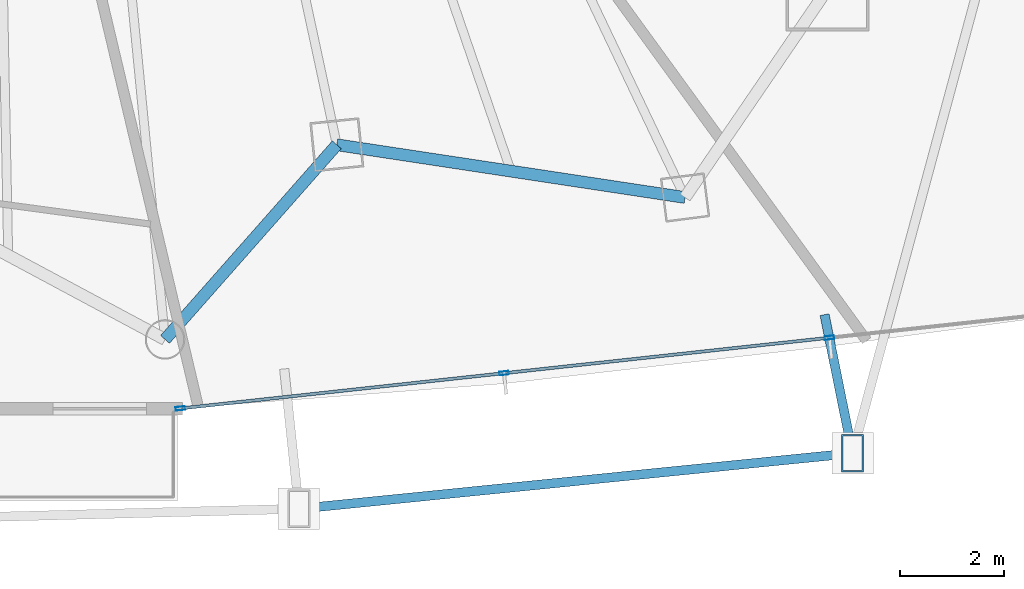
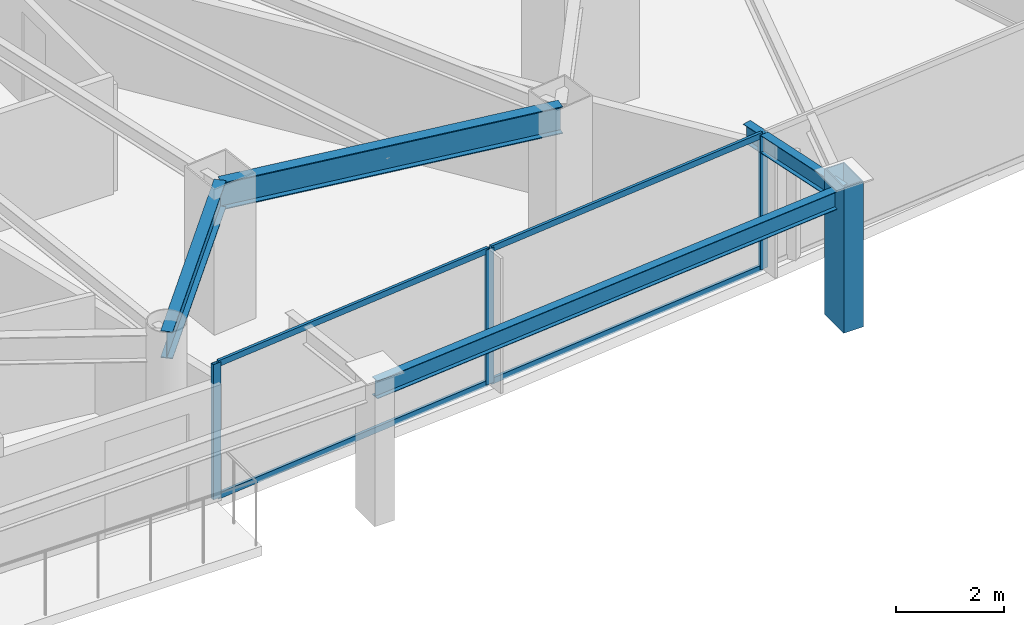
# One storey, part 13 of 33: 8 members, 4 beams, 1 element without a shape of its own.
"""IFC4 building model written with IfcOpenShell, lengths in metres."""

from ifc_helpers import new_model, si_unit, direction, frame, origin, origin_2d, place, context, subcontext, project, spatial, hollow_rectangle, i_section, extrude, material, layer, layer_set, material_profile, profile_set, type_object, element, aggregate, save


model = new_model("IFC4")

# Units and contexts
model_context = context("Model", 3, precision=1e-05, world=origin(), true_north=direction((0.0, 1.0)))
body_context = subcontext(model_context, "Body", "Model", "MODEL_VIEW")
ifc_project = project(units=[si_unit("LENGTHUNIT", "METRE"), si_unit("AREAUNIT", "SQUARE_METRE"), si_unit("VOLUMEUNIT", "CUBIC_METRE"), si_unit("PLANEANGLEUNIT", "RADIAN"), si_unit("MASSUNIT", "GRAM", prefix="KILO")], contexts=[model_context])

# Site, building, storey
site_placement = place(None, origin())
site = spatial("IfcSite", under=ifc_project, at=site_placement, CompositionType="ELEMENT")
building_placement = place(site_placement, origin())
building = spatial("IfcBuilding", under=site, at=building_placement, Name="Orvanel Arch Residences", CompositionType="ELEMENT")
storey_placement = place(building_placement, frame((0.0, 0.0, 87.35009765625)))
storey = spatial("IfcBuildingStorey", under=building, at=storey_placement, Name="L24", CompositionType="ELEMENT", Elevation=87.35009765625)

# Member
ifc_material_1 = material(Name="Structural steel AS/NZS 3678 Grade 350", Category="steel")
ifc_material_profile_1 = material_profile(ifc_material_1, hollow_rectangle(XDim=0.419921875, YDim=0.719970703125, WallThickness=0.02490234375, at=origin_2d()), Name="RHS720x420x25")
ifc_profile_set_1 = profile_set([ifc_material_profile_1], Name="Structural steel AS/NZS 3678 Grade 350")
member_type_1 = type_object("IfcMemberType", Name="CH-720RHS-EXT", PredefinedType="CHORD", material=ifc_profile_set_1)
member_1_placement = place(storey_placement, frame((52.284912109375, 1.4130859375, 0.0), z_axis=(0.0, 0.0, 1.0), x_axis=(1.0, 0.0, 0.0)))
element("IfcMember", 1, at=member_1_placement, inside=storey, type_object=member_type_1, Name="L24 Outer Perimeter Frame Post 08", PredefinedType="CHORD", context=body_context, shape_type="SweptSolid", body=[
    extrude(hollow_rectangle(XDim=0.419921875, YDim=0.719970703125, WallThickness=0.02490234375, at=origin_2d()), origin(), (0.0, 0.0, 1.0), 3.2998046875),
])

# Curtain wall, members
ifc_material_2 = material(Name="Bronze-anodised aluminium AA6063-T6", Category="aluminium")
ifc_layer = layer(ifc_material_2, 0.179931640625)
ifc_layer_set = layer_set([ifc_layer], Name="Bronze-anodised aluminium AA6063-T6")
curtain_wall_type = type_object("IfcCurtainWallType", Name="CW2-LOW-SYS", PredefinedType="NOTDEFINED", material=ifc_layer_set)
curtain_wall_placement = place(storey_placement, origin())
curtain_wall = element("IfcCurtainWall", 2, at=curtain_wall_placement, inside=storey, type_object=curtain_wall_type, Name="L24 CW2-LOW-SYS Unitised Curtain Wall", PredefinedType="NOTDEFINED")
ifc_material_profile_2 = material_profile(ifc_material_2, hollow_rectangle(XDim=0.070068359375, YDim=0.179931640625, WallThickness=0.00439453125, at=origin_2d()), Name="ALU180x70x4.5")
ifc_profile_set_2 = profile_set([ifc_material_profile_2], Name="Bronze-anodised aluminium AA6063-T6")
member_type_2 = type_object("IfcMemberType", Name="MUL-180x70", PredefinedType="MULLION", material=ifc_profile_set_2)
member_2_placement = place(storey_placement, frame((39.3369140625, 2.27587890625, 0.0), z_axis=(0.0, 0.0, 1.0), x_axis=(-0.108307893213, 0.994117397629, 0.0)))
member_2 = element("IfcMember", 3, at=member_2_placement, type_object=member_type_2, Name="CW-S2 mullion 1", PredefinedType="MULLION", context=body_context, shape_type="SweptSolid", body=[
    extrude(hollow_rectangle(XDim=0.070068359375, YDim=0.179931640625, WallThickness=0.00439453125, at=origin_2d()), origin(), (0.0, 0.0, 1.0), 3.059814453125),
])
member_3_placement = place(storey_placement, frame((45.571044921875, 2.955078125, 0.0), z_axis=(0.0, 0.0, 1.0), x_axis=(-0.108307893213, 0.994117397629, 0.0)))
member_3 = element("IfcMember", 4, at=member_3_placement, type_object=member_type_2, Name="CW-S2 mullion 2", PredefinedType="MULLION", context=body_context, shape_type="SweptSolid", body=[
    extrude(hollow_rectangle(XDim=0.070068359375, YDim=0.179931640625, WallThickness=0.00439453125, at=origin_2d()), origin(), (0.0, 0.0, 1.0), 3.059814453125),
])
member_4_placement = place(storey_placement, frame((51.840087890625, 3.637939453125, 0.0), z_axis=(0.0, 0.0, 1.0), x_axis=(-0.108307893213, 0.994117397629, 0.0)))
member_4 = element("IfcMember", 5, at=member_4_placement, type_object=member_type_2, Name="CW-S2 mullion 3", PredefinedType="MULLION", context=body_context, shape_type="SweptSolid", body=[
    extrude(hollow_rectangle(XDim=0.070068359375, YDim=0.179931640625, WallThickness=0.00439453125, at=origin_2d()), origin(), (0.0, 0.0, 1.0), 3.059814453125),
])

# Beams
ifc_material_3 = material(Name="Structural steel AS/NZS 3679.1 Grade 300 (300 MPa)", Category="steel")
ifc_material_profile_3 = material_profile(ifc_material_3, i_section(OverallWidth=0.177978515625, OverallDepth=0.406005859375, WebThickness=0.0078125, FlangeThickness=0.0126953125, at=origin_2d()), Name="410UB59.7")
ifc_profile_set_3 = profile_set([ifc_material_profile_3], Name="Structural steel AS/NZS 3679.1 Grade 300 (300 MPa)")
beam_type_1 = type_object("IfcBeamType", Name="OB-410UB-EXT", PredefinedType="SPANDREL", material=ifc_profile_set_3)
beam_1_placement = place(storey_placement, frame((41.6201171875, 0.343017578125, 2.85693359375), z_axis=(0.995003983091, 0.099835232422, 0.0), x_axis=(-0.099835232422, 0.995003983091, 0.0)))
element("IfcBeam", 6, at=beam_1_placement, inside=storey, type_object=beam_type_1, Name="L24 Outer Perimeter Floor Ring Beam 07", PredefinedType="SPANDREL", context=body_context, shape_type="SweptSolid", body=[
    extrude(i_section(OverallWidth=0.177978515625, OverallDepth=0.406005859375, WebThickness=0.0078125, FlangeThickness=0.0126953125, at=origin_2d()), origin(), (0.0, 0.0, 1.0), 10.71826171875),
])
beam_2_placement = place(storey_placement, frame((51.74609375, 4.08203125, 2.85693359375), z_axis=(0.197891881185, -0.980223853699, 0.0), x_axis=(0.980223853699, 0.197891881185, 0.0)))
element("IfcBeam", 7, at=beam_2_placement, inside=storey, type_object=beam_type_1, Name="L24 Outer Frame Radial Tie Beam 08", PredefinedType="SPANDREL", context=body_context, shape_type="SweptSolid", body=[
    extrude(i_section(OverallWidth=0.177978515625, OverallDepth=0.406005859375, WebThickness=0.0078125, FlangeThickness=0.0126953125, at=origin_2d()), origin(), (0.0, 0.0, 1.0), 2.722900390625),
])
ifc_material_profile_4 = material_profile(ifc_material_3, i_section(OverallWidth=0.22900390625, OverallDepth=0.612060546875, WebThickness=0.011962890625, FlangeThickness=0.01953125, at=origin_2d()), Name="610UB125")
ifc_profile_set_4 = profile_set([ifc_material_profile_4], Name="Structural steel AS/NZS 3679.1 Grade 300 (300 MPa)")
beam_type_2 = type_object("IfcBeamType", Name="SP-610UB", PredefinedType="SPANDREL", material=ifc_profile_set_4)
beam_3_placement = place(storey_placement, frame((39.0419921875, 3.60498046875, 2.75390625), z_axis=(0.661650698195, 0.749812212209, 0.0), x_axis=(-0.749812212209, 0.661650698195, 0.0)))
element("IfcBeam", 8, at=beam_3_placement, inside=storey, type_object=beam_type_2, Name="L24 Perimeter Spandrel Beam 08", PredefinedType="SPANDREL", context=body_context, shape_type="SweptSolid", body=[
    extrude(i_section(OverallWidth=0.22900390625, OverallDepth=0.612060546875, WebThickness=0.011962890625, FlangeThickness=0.01953125, at=origin_2d()), origin(), (0.0, 0.0, 1.0), 5.001220703125),
])
beam_4_placement = place(storey_placement, frame((42.35107421875, 7.35498046875, 2.75390625), z_axis=(0.988726323014, -0.149733958002, 0.0), x_axis=(0.149733958002, 0.988726323014, 0.0)))
element("IfcBeam", 9, at=beam_4_placement, inside=storey, type_object=beam_type_2, Name="L24 Perimeter Spandrel Beam 09", PredefinedType="SPANDREL", context=body_context, shape_type="SweptSolid", body=[
    extrude(i_section(OverallWidth=0.22900390625, OverallDepth=0.612060546875, WebThickness=0.011962890625, FlangeThickness=0.01953125, at=origin_2d()), origin(), (0.0, 0.0, 1.0), 6.784423828125),
])

# Member
ifc_material_profile_5 = material_profile(ifc_material_2, hollow_rectangle(XDim=0.06005859375, YDim=0.135009765625, WallThickness=0.00390625, at=origin_2d()), Name="ALU135x60x4")
ifc_profile_set_5 = profile_set([ifc_material_profile_5], Name="Bronze-anodised aluminium AA6063-T6")
member_type_3 = type_object("IfcMemberType", Name="TRN-135x60", PredefinedType="USERDEFINED", material=ifc_profile_set_5)
member_5_placement = place(storey_placement, frame((39.37158203125, 2.279541015625, 0.02978515625), z_axis=(0.994117215729, 0.108309562791, 0.0), x_axis=(-0.108309562791, 0.994117215729, 0.0)))
member_5 = element("IfcMember", 10, at=member_5_placement, type_object=member_type_3, Name="CW-S2 transom 1.1", ObjectType="TRANSOM", PredefinedType="USERDEFINED", context=body_context, shape_type="SweptSolid", body=[
    extrude(hollow_rectangle(XDim=0.06005859375, YDim=0.135009765625, WallThickness=0.00390625, at=origin_2d()), origin(), (0.0, 0.0, 1.0), 6.200927734375),
])

member_6_placement = place(storey_placement, frame((39.37158203125, 2.279541015625, 3.02978515625), z_axis=(0.994117215729, 0.108309562791, 0.0), x_axis=(-0.108309562791, 0.994117215729, 0.0)))
member_6 = element("IfcMember", 11, at=member_6_placement, type_object=member_type_3, Name="CW-S2 transom 1.2", ObjectType="TRANSOM", PredefinedType="USERDEFINED", context=body_context, shape_type="SweptSolid", body=[
    extrude(hollow_rectangle(XDim=0.06005859375, YDim=0.135009765625, WallThickness=0.00390625, at=origin_2d()), origin(), (0.0, 0.0, 1.0), 6.200927734375),
])

member_7_placement = place(storey_placement, frame((45.605712890625, 2.958740234375, 0.02978515625), z_axis=(0.994115444841, 0.108325815614, 0.0), x_axis=(-0.108325815614, 0.994115444841, 0.0)))
member_7 = element("IfcMember", 12, at=member_7_placement, type_object=member_type_3, Name="CW-S2 transom 2.1", ObjectType="TRANSOM", PredefinedType="USERDEFINED", context=body_context, shape_type="SweptSolid", body=[
    extrude(hollow_rectangle(XDim=0.06005859375, YDim=0.135009765625, WallThickness=0.00390625, at=origin_2d()), origin(), (0.0, 0.0, 1.0), 6.236083984375),
])

member_8_placement = place(storey_placement, frame((45.605712890625, 2.958740234375, 3.02978515625), z_axis=(0.994115444841, 0.108325815614, 0.0), x_axis=(-0.108325815614, 0.994115444841, 0.0)))
member_8 = element("IfcMember", 13, at=member_8_placement, type_object=member_type_3, Name="CW-S2 transom 2.2", ObjectType="TRANSOM", PredefinedType="USERDEFINED", context=body_context, shape_type="SweptSolid", body=[
    extrude(hollow_rectangle(XDim=0.06005859375, YDim=0.135009765625, WallThickness=0.00390625, at=origin_2d()), origin(), (0.0, 0.0, 1.0), 6.236083984375),
])

aggregate(curtain_wall, [member_2, member_3, member_4, member_5, member_6, member_7, member_8])

save(model, "model.ifc")
